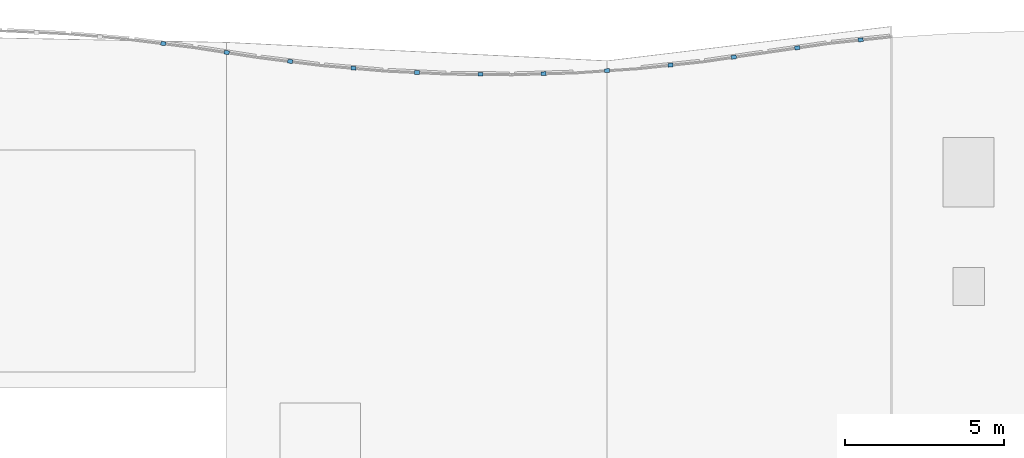
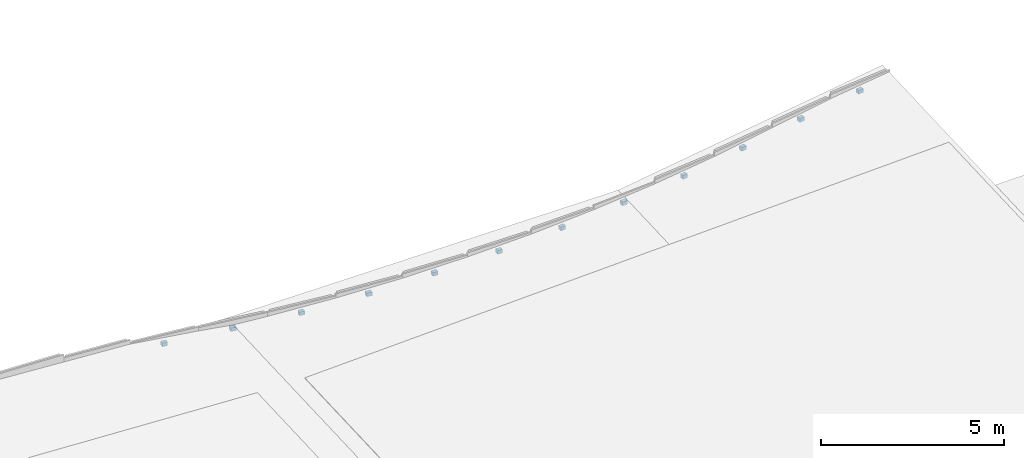
# One storey, part 9 of 11: 12 discrete accessories.
"""IFC4 building model written with IfcOpenShell, lengths in metres."""

from ifc_helpers import new_model, si_unit, direction, frame, origin, origin_2d, place, context, subcontext, project, spatial, rectangle, extrude, material, type_object, element, save


model = new_model("IFC4")

# Units and contexts
model_context = context("Model", 3, precision=1e-05, world=origin(), true_north=direction((0.0, 1.0)))
body_context = subcontext(model_context, "Body", "Model", "MODEL_VIEW")
ifc_project = project(units=[si_unit("LENGTHUNIT", "METRE"), si_unit("AREAUNIT", "SQUARE_METRE"), si_unit("VOLUMEUNIT", "CUBIC_METRE"), si_unit("PLANEANGLEUNIT", "RADIAN"), si_unit("MASSUNIT", "GRAM", prefix="KILO")], contexts=[model_context])

# Site, building, storey
site_placement = place(None, origin())
site = spatial("IfcSite", under=ifc_project, at=site_placement, CompositionType="ELEMENT")
building_placement = place(site_placement, origin())
building = spatial("IfcBuilding", under=site, at=building_placement, Name="Tonlespit Floodbar School", CompositionType="ELEMENT")
storey_placement = place(building_placement, frame((0.0, 0.0, 24.0)))
storey = spatial("IfcBuildingStorey", under=building, at=storey_placement, Name="RF", CompositionType="ELEMENT", Elevation=24.0)

# Discrete accessories
ifc_material = material(Name="Galvanised Steel", Category="steel")
discrete_accessory_type = type_object("IfcDiscreteAccessoryType", Name="Bracket_Facade_S355", PredefinedType="BRACKET", material=ifc_material)
for number, where, z_axis, x_axis, name in (
    (1, (93.00390625, 121.861572265625, 0.23486328125), (0.0, 0.0, 1.0), (0.99215533612, -0.125011155539, 0.0), "RF white band support bracket 0429"),
    (2, (95.004638671875, 121.57958984375, 0.208984375), (0.0, 0.0, 1.0), (0.988094768361, -0.153846445322, 0.0), "RF white band support bracket 0431"),
    (3, (97.00390625, 121.298095703125, 0.208984375), (0.0, 0.0, 1.0), (0.99215533612, -0.125011155539, 0.0), "RF white band support bracket 0433"),
    (4, (99.002685546875, 121.085205078125, 0.271484375), (0.0, 0.0, 1.0), (0.996245486492, -0.086573267488, 0.0), "RF white band support bracket 0435"),
    (5, (101.00146484375, 120.9501953125, 0.33740234375), (0.0, 0.0, 1.0), (0.998842769234, -0.048094930587, 0.0), "RF white band support bracket 0437"),
    (6, (103.000244140625, 120.892578125, 0.406494140625), (0.0, 0.0, 1.0), (0.999953926969, -0.009599163462, 0.0), "RF white band support bracket 0439"),
    (7, (104.9990234375, 120.911865234375, 0.479248046875), (0.0, 0.0, 1.0), (0.999584110869, 0.02883756748, 0.0), "RF white band support bracket 0441"),
    (8, (106.998046875, 121.008056640625, 0.554931640625), (0.0, 0.0, 1.0), (0.997729639049, 0.067346621018, 0.0), "RF white band support bracket 0443"),
    (9, (108.996826171875, 121.181884765625, 0.63427734375), (0.0, 0.0, 1.0), (0.99439234017, 0.105753835922, 0.0), "RF white band support bracket 0445"),
    (10, (110.99560546875, 121.433837890625, 0.716796875), (0.0, 0.0, 1.0), (0.989537627347, 0.144275029245, 0.0), "RF white band support bracket 0447"),
    (11, (112.99560546875, 121.7255859375, 0.802734375), (0.0, 0.0, 1.0), (0.989537627347, 0.144275029245, 0.0), "RF white band support bracket 0449"),
    (12, (114.996826171875, 121.977783203125, 0.888671875), (0.0, 0.0, 1.0), (0.99439234017, 0.105753835922, 0.0), "RF white band support bracket 0451"),
):
    element("IfcDiscreteAccessory", number, at=place(storey_placement, frame(where, z_axis=z_axis, x_axis=x_axis)), inside=storey, type_object=discrete_accessory_type, Name=name, PredefinedType="BRACKET", context=body_context, shape_type="SweptSolid", body=[
        extrude(rectangle(XDim=0.159912109375, YDim=0.1201171875, at=origin_2d()), origin(), (0.0, 0.0, 1.0), 0.1201171875),
    ])

save(model, "model.ifc")
